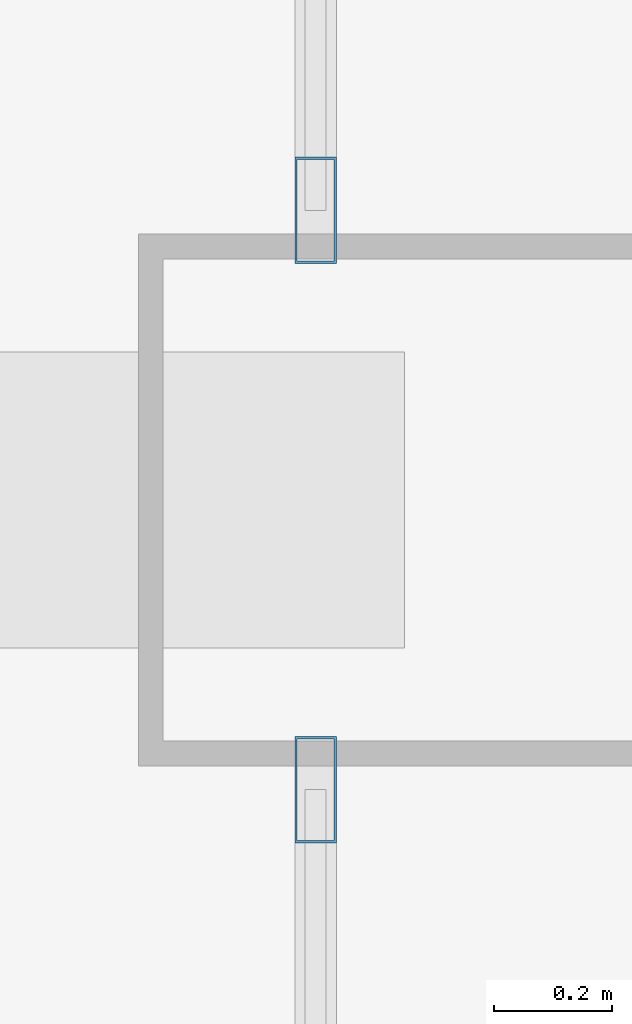
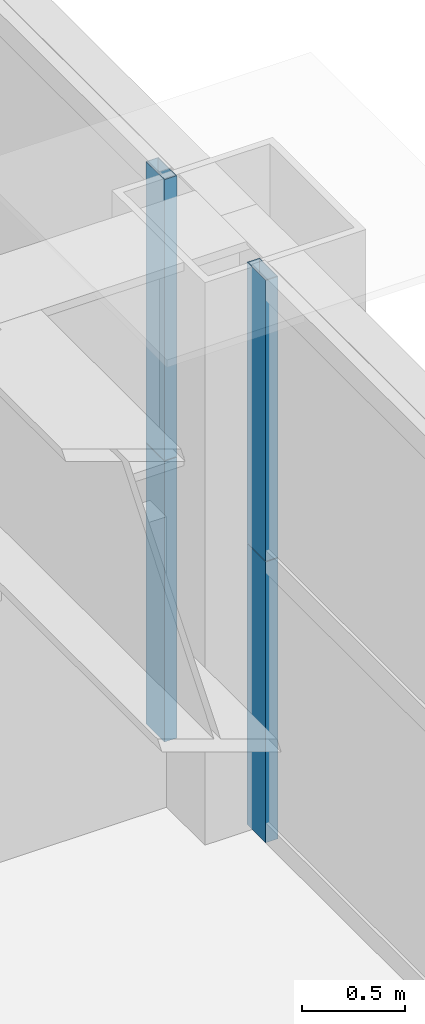
# One storey, part 21 of 44: 4 members, 2 elements without a shape of their own.
"""IFC4 building model written with IfcOpenShell, lengths in metres."""

from ifc_helpers import new_model, si_unit, direction, frame, origin, origin_2d, place, context, subcontext, project, spatial, hollow_rectangle, extrude, source, transform, mapped, material, layer, layer_set, material_profile, profile_set, type_object, element, aggregate, save


model = new_model("IFC4")

# Units and contexts
model_context = context("Model", 3, precision=1e-05, world=origin(), true_north=direction((0.0, 1.0)))
body_context = subcontext(model_context, "Body", "Model", "MODEL_VIEW")
ifc_project = project(units=[si_unit("LENGTHUNIT", "METRE"), si_unit("AREAUNIT", "SQUARE_METRE"), si_unit("VOLUMEUNIT", "CUBIC_METRE"), si_unit("PLANEANGLEUNIT", "RADIAN"), si_unit("MASSUNIT", "GRAM", prefix="KILO"), si_unit("THERMODYNAMICTEMPERATUREUNIT", "KELVIN"), si_unit("POWERUNIT", "WATT")], contexts=[model_context])

# Site, building, storey
site_placement = place(None, origin())
site = spatial("IfcSite", under=ifc_project, at=site_placement, CompositionType="ELEMENT")
building_placement = place(site_placement, origin())
building = spatial("IfcBuilding", under=site, at=building_placement, Name="Yuzanri Waterfront Tower", CompositionType="ELEMENT")
storey_placement = place(building_placement, frame((0.0, 0.0, 82.0)))
storey = spatial("IfcBuildingStorey", under=building, at=storey_placement, Name="L21", CompositionType="ELEMENT", Elevation=82.0)

# Curtain wall, members
ifc_material_1 = material(Name="Anodized Architectural Bronze", Category="metal")
ifc_layer = layer(ifc_material_1, 0.159912109375)
ifc_layer_set = layer_set([ifc_layer], Name="Anodized Architectural Bronze")
curtain_wall_type = type_object("IfcCurtainWallType", Name="Anodized Bronze Hotel Lower-Tier Recessed Unitized Curtain Wall 8100", PredefinedType="NOTDEFINED", material=ifc_layer_set)
curtain_wall_1_placement = place(storey_placement, origin())
curtain_wall_1 = element("IfcCurtainWall", 1, at=curtain_wall_1_placement, inside=storey, type_object=curtain_wall_type, Name="L21 Curtain Wall CW-L21-EL", PredefinedType="NOTDEFINED")
ifc_material_2 = material(Name="Anodized Architectural Bronze", Category="metal")
ifc_material_profile = material_profile(ifc_material_2, hollow_rectangle(XDim=0.070068359375, YDim=0.179931640625, WallThickness=0.00390625, at=origin_2d()), Name="CWM 70x180")
ifc_profile_set = profile_set([ifc_material_profile], Name="Anodized Architectural Bronze")
member_type = type_object("IfcMemberType", Name="Anodized Bronze Standard Curtain-Wall Mullion 70x180", PredefinedType="MULLION", material=ifc_profile_set)
shared_shape = source(origin(), body_context, "Body", "SweptSolid", [
    extrude(hollow_rectangle(XDim=0.070068359375, YDim=0.179931640625, WallThickness=0.00390625, at=origin_2d()), origin(), (0.0, 0.0, 1.0), 1.657958984375),
])
member_1_placement = place(storey_placement, frame((61.949951171875, 25.31005859375, 0.0), z_axis=(0.0, 0.0, 1.0), x_axis=(1.0, 0.0, 0.0)))
member_1 = element("IfcMember", 2, at=member_1_placement, type_object=member_type, Name="CW-L21-EL Lower Mullion 02", PredefinedType="MULLION", context=body_context, shape_type="MappedRepresentation", body=[
    mapped(shared_shape, transform((0.0, 0.0, 0.0), scale=1.0)),
])
member_2_placement = place(storey_placement, frame((61.949951171875, 25.31005859375, 1.662109375), z_axis=(0.0, 0.0, 1.0), x_axis=(1.0, 0.0, 0.0)))
member_2 = element("IfcMember", 3, at=member_2_placement, type_object=member_type, Name="CW-L21-EL Upper Mullion 02", PredefinedType="MULLION", context=body_context, shape_type="MappedRepresentation", body=[
    mapped(shared_shape, transform((0.0, 0.0, 0.0), scale=1.0)),
])
aggregate(curtain_wall_1, [member_1, member_2])

curtain_wall_2_placement = place(storey_placement, origin())
curtain_wall_2 = element("IfcCurtainWall", 4, at=curtain_wall_2_placement, inside=storey, type_object=curtain_wall_type, Name="L21 Curtain Wall CW-L21-ER", PredefinedType="NOTDEFINED")
member_3_placement = place(storey_placement, frame((61.949951171875, 26.2900390625, 0.0), z_axis=(0.0, 0.0, 1.0), x_axis=(1.0, 0.0, 0.0)))
member_3 = element("IfcMember", 5, at=member_3_placement, type_object=member_type, Name="CW-L21-ER Lower Mullion 00", PredefinedType="MULLION", context=body_context, shape_type="MappedRepresentation", body=[
    mapped(shared_shape, transform((0.0, 0.0, 0.0), scale=1.0)),
])
member_4_placement = place(storey_placement, frame((61.949951171875, 26.2900390625, 1.662109375), z_axis=(0.0, 0.0, 1.0), x_axis=(1.0, 0.0, 0.0)))
member_4 = element("IfcMember", 6, at=member_4_placement, type_object=member_type, Name="CW-L21-ER Upper Mullion 00", PredefinedType="MULLION", context=body_context, shape_type="MappedRepresentation", body=[
    mapped(shared_shape, transform((0.0, 0.0, 0.0), scale=1.0)),
])
aggregate(curtain_wall_2, [member_3, member_4])

save(model, "model.ifc")
